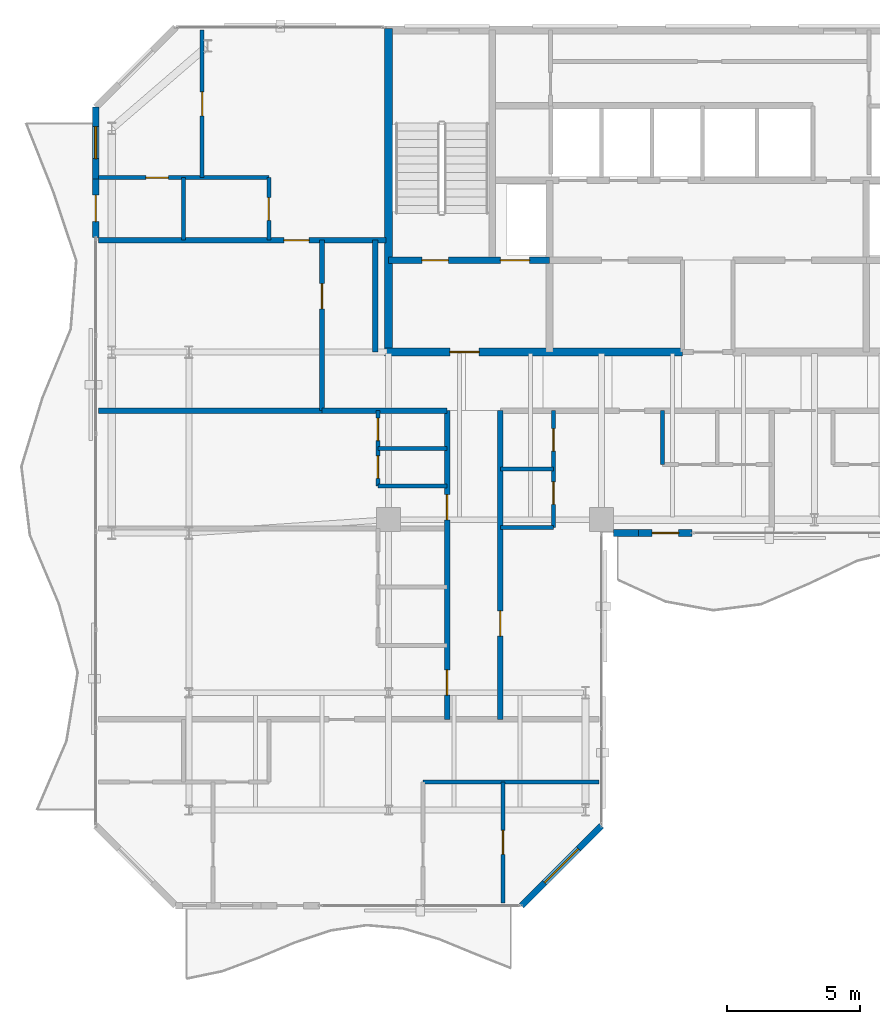
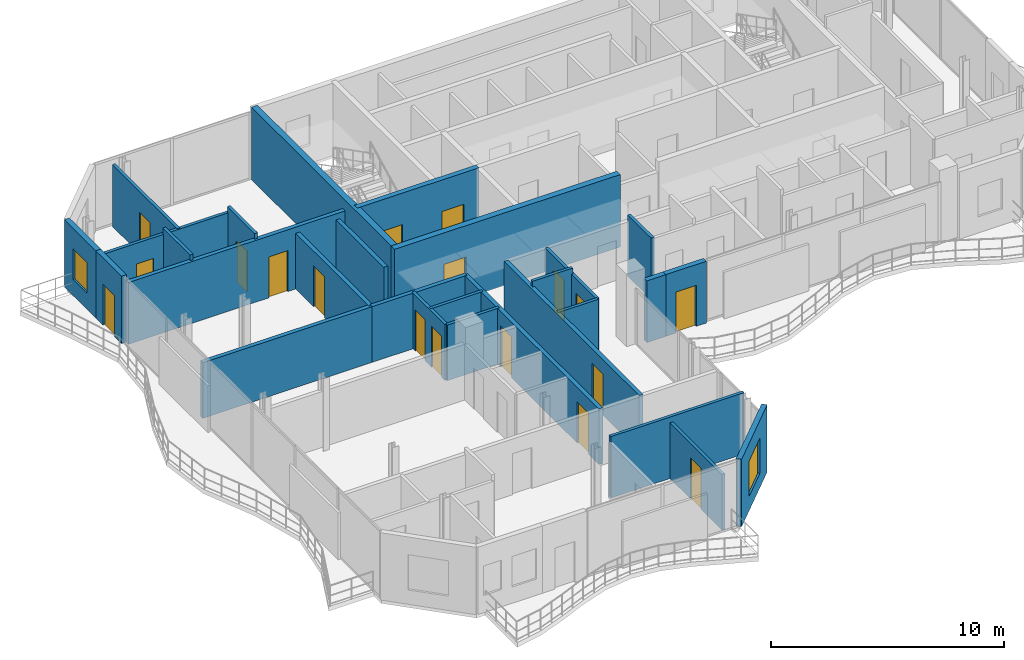
# One storey, part 18 of 24: 28 walls, 18 doors, 2 windows, 20 openings.
"""IFC4 building model written with IfcOpenShell, lengths in metres."""

from ifc_helpers import new_model, si_unit, direction, frame, frame_2d, origin, place, context, subcontext, project, spatial, rectangle, extrude, material, layer, layer_set, type_object, element, fill, save


model = new_model("IFC4")

# Units and contexts
model_context = context("Model", 3, precision=1e-05, world=origin(), true_north=direction((0.0, 1.0)))
body_context = subcontext(model_context, "Body", "Model", "MODEL_VIEW")
ifc_project = project(units=[si_unit("LENGTHUNIT", "METRE"), si_unit("AREAUNIT", "SQUARE_METRE"), si_unit("VOLUMEUNIT", "CUBIC_METRE"), si_unit("PLANEANGLEUNIT", "RADIAN"), si_unit("MASSUNIT", "GRAM", prefix="KILO")], contexts=[model_context])

# Site, building, storey
site_placement = place(None, origin())
site = spatial("IfcSite", under=ifc_project, at=site_placement, CompositionType="ELEMENT")
building_placement = place(site_placement, origin())
building = spatial("IfcBuilding", under=site, at=building_placement, Name="Catumbela Crestline Tower", CompositionType="ELEMENT")
storey_placement = place(building_placement, frame((0.0, 0.0, 237.4)))
storey = spatial("IfcBuildingStorey", under=building, at=storey_placement, Name="L61", CompositionType="ELEMENT", Elevation=237.4)

# Wall, openings, doors
ifc_material_1 = material(Name="Concrete C50/60", Category="concrete")
ifc_layer_1 = layer(ifc_material_1, 0.25, Name="Concrete C50/60")
ifc_layer_set_1 = layer_set([ifc_layer_1], Name="Concrete C50/60")
wall_type_1 = type_object("IfcWallType", Name="CW-250D", PredefinedType="SHEAR", material=ifc_layer_set_1)
wall_1_placement = place(storey_placement, frame((16.0, 34.25, 0.0), z_axis=(0.0, 0.0, 1.0), x_axis=(1.0, 0.0, 0.0)))
wall_1 = element("IfcWall", 1, at=wall_1_placement, inside=storey, type_object=wall_type_1, Name="L61 Structural Core Shear Wall ST1S", PredefinedType="SHEAR", context=body_context, shape_type="SweptSolid", body=[
    extrude(rectangle(XDim=6.05, YDim=0.25, at=frame_2d((3.025, 0.0))), origin(), (0.0, 0.0, 1.0), 3.8),
])
opening_1_placement = place(wall_1_placement, frame((1.25, 0.0, 0.0)))
opening_1 = element("IfcOpeningElement", 2, at=opening_1_placement, cuts=wall_1, Name="Opening DF9-100", PredefinedType="OPENING", context=body_context, shape_type="SweptSolid", body=[
    extrude(rectangle(XDim=1.0, YDim=2.15, at=frame_2d((0.5, 1.075))), frame((0.0, 0.135, 0.0), z_axis=(0.0, -1.0, 0.0), x_axis=(1.0, 0.0, 0.0)), (0.0, 0.0, 1.0), 0.27),
])
opening_2_placement = place(wall_1_placement, frame((4.2, 0.0, 0.0)))
opening_2 = element("IfcOpeningElement", 3, at=opening_2_placement, cuts=wall_1, Name="Opening LD-110", PredefinedType="OPENING", context=body_context, shape_type="SweptSolid", body=[
    extrude(rectangle(XDim=1.1, YDim=2.15, at=frame_2d((0.55, 1.075))), frame((0.0, 0.135, 0.0), z_axis=(0.0, -1.0, 0.0), x_axis=(1.0, 0.0, 0.0)), (0.0, 0.0, 1.0), 0.27),
])
ifc_material_2 = material(Name="Stainless steel EN 1.4401", Category="steel")
door_type_1 = type_object("IfcDoorType", Name="DF9-100", OperationType="NOTDEFINED", PredefinedType="DOOR", material=ifc_material_2)
door_1_placement = place(opening_1_placement, origin())
door_1 = element("IfcDoor", 4, at=door_1_placement, inside=storey, type_object=door_type_1, Name="L61 Interior Door DR-L61-ST01", OperationType="SINGLE_SWING_LEFT", OverallHeight=2.15, OverallWidth=1.0, PredefinedType="DOOR", context=body_context, shape_type="SweptSolid", body=[
    extrude(rectangle(XDim=1.0, YDim=2.15, at=frame_2d((0.5, 1.075))), frame((0.0, 0.025, 0.0), z_axis=(0.0, -1.0, 0.0), x_axis=(1.0, 0.0, 0.0)), (0.0, 0.0, 1.0), 0.05),
])
fill(opening_1, door_1)
door_type_2 = type_object("IfcDoorType", Name="LD-110", OperationType="NOTDEFINED", PredefinedType="DOOR", material=ifc_material_2)
door_2_placement = place(opening_2_placement, origin())
door_2 = element("IfcDoor", 5, at=door_2_placement, inside=storey, type_object=door_type_2, Name="L61 Lift Landing Sliding Door FL-01", OperationType="DOUBLE_DOOR_SLIDING", OverallHeight=2.15, OverallWidth=1.1, PredefinedType="DOOR", context=body_context, shape_type="SweptSolid", body=[
    extrude(rectangle(XDim=1.1, YDim=2.15, at=frame_2d((0.55, 1.075))), frame((0.0, 0.025, 0.0), z_axis=(0.0, -1.0, 0.0), x_axis=(1.0, 0.0, 0.0)), (0.0, 0.0, 1.0), 0.05),
])
fill(opening_2, door_2)

# Wall
ifc_material_3 = material(Name="Concrete C45/55", Category="concrete")
ifc_layer_2 = layer(ifc_material_3, 0.3, Name="Concrete C45/55")
ifc_layer_set_2 = layer_set([ifc_layer_2], Name="Concrete C45/55")
wall_type_2 = type_object("IfcWallType", Name="CW-300C", PredefinedType="SHEAR", material=ifc_layer_set_2)
wall_2_placement = place(storey_placement, frame((16.0, 30.65, 0.0), z_axis=(0.0, 0.0, 1.0), x_axis=(0.0, 1.0, 0.0)))
element("IfcWall", 6, at=wall_2_placement, inside=storey, type_object=wall_type_2, Name="L61 Structural Core Shear Wall W", PredefinedType="SHEAR", context=body_context, shape_type="SweptSolid", body=[
    extrude(rectangle(XDim=12.3, YDim=0.3, at=frame_2d((6.15, 0.0))), origin(), (0.0, 0.0, 1.0), 3.8),
])

# Wall, opening, door
wall_3_placement = place(storey_placement, frame((15.85, 30.8, 0.0), z_axis=(0.0, 0.0, 1.0), x_axis=(1.0, 0.0, 0.0)))
wall_3 = element("IfcWall", 7, at=wall_3_placement, inside=storey, type_object=wall_type_2, Name="L61 Structural Core Shear Wall SW", PredefinedType="SHEAR", context=body_context, shape_type="SweptSolid", body=[
    extrude(rectangle(XDim=11.2, YDim=0.3, at=frame_2d((5.6, 0.0))), origin(), (0.0, 0.0, 1.0), 3.8),
])
opening_3_placement = place(wall_3_placement, frame((2.45, 0.0, 0.0)))
opening_3 = element("IfcOpeningElement", 8, at=opening_3_placement, cuts=wall_3, Name="Opening DF9-110", PredefinedType="OPENING", context=body_context, shape_type="SweptSolid", body=[
    extrude(rectangle(XDim=1.1, YDim=2.15, at=frame_2d((0.55, 1.075))), frame((0.0, 0.16, 0.0), z_axis=(0.0, -1.0, 0.0), x_axis=(1.0, 0.0, 0.0)), (0.0, 0.0, 1.0), 0.32),
])
door_type_3 = type_object("IfcDoorType", Name="DF9-110", OperationType="NOTDEFINED", PredefinedType="DOOR", material=ifc_material_2)
door_3_placement = place(opening_3_placement, origin())
door_3 = element("IfcDoor", 9, at=door_3_placement, inside=storey, type_object=door_type_3, Name="L61 Interior Door DR-L61-FFW-S", OperationType="SINGLE_SWING_LEFT", OverallHeight=2.15, OverallWidth=1.1, PredefinedType="DOOR", context=body_context, shape_type="SweptSolid", body=[
    extrude(rectangle(XDim=1.1, YDim=2.15, at=frame_2d((0.55, 1.075))), frame((0.0, 0.025, 0.0), z_axis=(0.0, -1.0, 0.0), x_axis=(1.0, 0.0, 0.0)), (0.0, 0.0, 1.0), 0.05),
])
fill(opening_3, door_3)

# Walls
ifc_material_4 = material(Name="Acoustic gypsum and mineral-wool partition")
ifc_layer_3 = layer(ifc_material_4, 0.2, Name="Acoustic gypsum and mineral-wool partition")
ifc_layer_set_3 = layer_set([ifc_layer_3], Name="Acoustic gypsum and mineral-wool partition")
wall_type_3 = type_object("IfcWallType", Name="WC-200", PredefinedType="PARTITIONING", material=ifc_layer_set_3)
wall_4_placement = place(storey_placement, frame((13.5, 28.6, 0.0), z_axis=(0.0, 0.0, 1.0), x_axis=(1.0, 0.0, 0.0)))
element("IfcWall", 10, at=wall_4_placement, inside=storey, type_object=wall_type_3, Name="L61 Interior Partition PW-L61-RCWL", PredefinedType="PARTITIONING", context=body_context, shape_type="SweptSolid", body=[
    extrude(rectangle(XDim=4.7, YDim=0.2, at=frame_2d((2.35, 0.0))), origin(), (0.0, 0.0, 1.0), 2.92),
])
wall_5_placement = place(storey_placement, frame((15.5, 30.8, 0.0), z_axis=(0.0, 0.0, 1.0), x_axis=(0.0, 1.0, 0.0)))
element("IfcWall", 11, at=wall_5_placement, inside=storey, type_object=wall_type_3, Name="L61 Interior Partition PW-L61-NWFYE", PredefinedType="PARTITIONING", context=body_context, shape_type="SweptSolid", body=[
    extrude(rectangle(XDim=4.2, YDim=0.2, at=frame_2d((2.1, 0.0))), origin(), (0.0, 0.0, 1.0), 2.92),
])

# Wall, opening, door
wall_6_placement = place(storey_placement, frame((13.5, 28.6, 0.0), z_axis=(0.0, 0.0, 1.0), x_axis=(0.0, 1.0, 0.0)))
wall_6 = element("IfcWall", 12, at=wall_6_placement, inside=storey, type_object=wall_type_3, Name="L61 Interior Partition PW-L61-NWAM-ENT", PredefinedType="PARTITIONING", context=body_context, shape_type="SweptSolid", body=[
    extrude(rectangle(XDim=6.4, YDim=0.2, at=frame_2d((3.2, 0.0))), origin(), (0.0, 0.0, 1.0), 2.92),
])
opening_4_placement = place(wall_6_placement, frame((3.825, 0.0, 0.0)))
opening_4 = element("IfcOpeningElement", 13, at=opening_4_placement, cuts=wall_6, Name="Opening DF6-095", PredefinedType="OPENING", context=body_context, shape_type="SweptSolid", body=[
    extrude(rectangle(XDim=0.95, YDim=2.15, at=frame_2d((0.475, 1.075))), frame((0.0, 0.11, 0.0), z_axis=(0.0, -1.0, 0.0), x_axis=(1.0, 0.0, 0.0)), (0.0, 0.0, 1.0), 0.22),
])
ifc_material_5 = material(Name="Aluminium alloy AW-6060-T66", Category="aluminium")
door_type_4 = type_object("IfcDoorType", Name="DF6-095", OperationType="NOTDEFINED", PredefinedType="DOOR", material=ifc_material_5)
door_4_placement = place(opening_4_placement, origin())
door_4 = element("IfcDoor", 14, at=door_4_placement, inside=storey, type_object=door_type_4, Name="L61 Interior Door DR-L61-NWAM-ENT", OperationType="SINGLE_SWING_RIGHT", OverallHeight=2.15, OverallWidth=0.95, PredefinedType="DOOR", context=body_context, shape_type="SweptSolid", body=[
    extrude(rectangle(XDim=0.95, YDim=2.15, at=frame_2d((0.475, 1.075))), frame((0.0, 0.025, 0.0), z_axis=(0.0, -1.0, 0.0), x_axis=(1.0, 0.0, 0.0)), (0.0, 0.0, 1.0), 0.05),
])
fill(opening_4, door_4)

wall_7_placement = place(storey_placement, frame((5.1, 35.0, 0.0), z_axis=(0.0, 0.0, 1.0), x_axis=(1.0, 0.0, 0.0)))
wall_7 = element("IfcWall", 15, at=wall_7_placement, inside=storey, type_object=wall_type_3, Name="L61 Interior Partition PW-L61-NW1-ENT", PredefinedType="PARTITIONING", context=body_context, shape_type="SweptSolid", body=[
    extrude(rectangle(XDim=10.8, YDim=0.2, at=frame_2d((5.4, 0.0))), origin(), (0.0, 0.0, 1.0), 3.24),
])
opening_5_placement = place(wall_7_placement, frame((6.9644, 0.0, 0.0)))
opening_5 = element("IfcOpeningElement", 16, at=opening_5_placement, cuts=wall_7, Name="Opening DF6-095", PredefinedType="OPENING", context=body_context, shape_type="SweptSolid", body=[
    extrude(rectangle(XDim=0.95, YDim=2.15, at=frame_2d((0.475, 1.075))), frame((0.0, 0.11, 0.0), z_axis=(0.0, -1.0, 0.0), x_axis=(1.0, 0.0, 0.0)), (0.0, 0.0, 1.0), 0.22),
])
door_5_placement = place(opening_5_placement, origin())
door_5 = element("IfcDoor", 17, at=door_5_placement, inside=storey, type_object=door_type_4, Name="L61 Interior Door DR-L61-NW1-ENT", OperationType="SINGLE_SWING_LEFT", OverallHeight=2.15, OverallWidth=0.95, PredefinedType="DOOR", context=body_context, shape_type="SweptSolid", body=[
    extrude(rectangle(XDim=0.95, YDim=2.15, at=frame_2d((0.475, 1.075))), frame((0.0, 0.025, 0.0), z_axis=(0.0, -1.0, 0.0), x_axis=(1.0, 0.0, 0.0)), (0.0, 0.0, 1.0), 0.05),
])
fill(opening_5, door_5)

# Wall, openings, doors
wall_8_placement = place(storey_placement, frame((18.2, 17.0, 0.0), z_axis=(0.0, 0.0, 1.0), x_axis=(0.0, 1.0, 0.0)))
wall_8 = element("IfcWall", 18, at=wall_8_placement, inside=storey, type_object=wall_type_3, Name="L61 Interior Partition PW-L61-WL1-ENT", PredefinedType="PARTITIONING", context=body_context, shape_type="SweptSolid", body=[
    extrude(rectangle(XDim=11.6, YDim=0.2, at=frame_2d((5.8, 0.0))), origin(), (0.0, 0.0, 1.0), 2.92),
])
opening_6_placement = place(wall_8_placement, frame((7.493, 0.0, 0.0)))
opening_6 = element("IfcOpeningElement", 19, at=opening_6_placement, cuts=wall_8, Name="Opening DF6-095", PredefinedType="OPENING", context=body_context, shape_type="SweptSolid", body=[
    extrude(rectangle(XDim=0.95, YDim=2.15, at=frame_2d((0.475, 1.075))), frame((0.0, 0.11, 0.0), z_axis=(0.0, -1.0, 0.0), x_axis=(1.0, 0.0, 0.0)), (0.0, 0.0, 1.0), 0.22),
])
opening_7_placement = place(wall_8_placement, frame((0.909, 0.0, 0.0)))
opening_7 = element("IfcOpeningElement", 20, at=opening_7_placement, cuts=wall_8, Name="Opening DF6-095", PredefinedType="OPENING", context=body_context, shape_type="SweptSolid", body=[
    extrude(rectangle(XDim=0.95, YDim=2.15, at=frame_2d((0.475, 1.075))), frame((0.0, 0.11, 0.0), z_axis=(0.0, -1.0, 0.0), x_axis=(1.0, 0.0, 0.0)), (0.0, 0.0, 1.0), 0.22),
])
door_6_placement = place(opening_6_placement, origin())
door_6 = element("IfcDoor", 21, at=door_6_placement, inside=storey, type_object=door_type_4, Name="L61 Interior Door DR-L61-WL1-ENT", OperationType="SINGLE_SWING_RIGHT", OverallHeight=2.15, OverallWidth=0.95, PredefinedType="DOOR", context=body_context, shape_type="SweptSolid", body=[
    extrude(rectangle(XDim=0.95, YDim=2.15, at=frame_2d((0.475, 1.075))), frame((0.0, 0.025, 0.0), z_axis=(0.0, -1.0, 0.0), x_axis=(1.0, 0.0, 0.0)), (0.0, 0.0, 1.0), 0.05),
])
fill(opening_6, door_6)
door_7_placement = place(opening_7_placement, origin())
door_7 = element("IfcDoor", 22, at=door_7_placement, inside=storey, type_object=door_type_4, Name="L61 Interior Door DR-L61-WL2-ENT", OperationType="SINGLE_SWING_RIGHT", OverallHeight=2.15, OverallWidth=0.95, PredefinedType="DOOR", context=body_context, shape_type="SweptSolid", body=[
    extrude(rectangle(XDim=0.95, YDim=2.15, at=frame_2d((0.475, 1.075))), frame((0.0, 0.025, 0.0), z_axis=(0.0, -1.0, 0.0), x_axis=(1.0, 0.0, 0.0)), (0.0, 0.0, 1.0), 0.05),
])
fill(opening_7, door_7)

# Wall, opening, door
wall_9_placement = place(storey_placement, frame((20.2, 17.0, 0.0), z_axis=(0.0, 0.0, 1.0), x_axis=(0.0, 1.0, 0.0)))
wall_9 = element("IfcWall", 23, at=wall_9_placement, inside=storey, type_object=wall_type_3, Name="L61 Interior Partition PW-L61-WR1-ENT", PredefinedType="PARTITIONING", context=body_context, shape_type="SweptSolid", body=[
    extrude(rectangle(XDim=11.6, YDim=0.2, at=frame_2d((5.8, 0.0))), origin(), (0.0, 0.0, 1.0), 2.92),
])
opening_8_placement = place(wall_9_placement, frame((3.125, 0.0, 0.0)))
opening_8 = element("IfcOpeningElement", 24, at=opening_8_placement, cuts=wall_9, Name="Opening DF6-095", PredefinedType="OPENING", context=body_context, shape_type="SweptSolid", body=[
    extrude(rectangle(XDim=0.95, YDim=2.15, at=frame_2d((0.475, 1.075))), frame((0.0, 0.11, 0.0), z_axis=(0.0, -1.0, 0.0), x_axis=(1.0, 0.0, 0.0)), (0.0, 0.0, 1.0), 0.22),
])
door_8_placement = place(opening_8_placement, origin())
door_8 = element("IfcDoor", 25, at=door_8_placement, inside=storey, type_object=door_type_4, Name="L61 Interior Door DR-L61-WR1-ENT", OperationType="SINGLE_SWING_LEFT", OverallHeight=2.15, OverallWidth=0.95, PredefinedType="DOOR", context=body_context, shape_type="SweptSolid", body=[
    extrude(rectangle(XDim=0.95, YDim=2.15, at=frame_2d((0.475, 1.075))), frame((0.0, 0.025, 0.0), z_axis=(0.0, -1.0, 0.0), x_axis=(1.0, 0.0, 0.0)), (0.0, 0.0, 1.0), 0.05),
])
fill(opening_8, door_8)

# Wall, opening, window
ifc_material_6 = material(Name="Angolan grey-ochre granite", Category="masonry")
ifc_layer_4 = layer(ifc_material_6, 0.25, Name="Angolan grey-ochre granite")
ifc_layer_set_4 = layer_set([ifc_layer_4], Name="Angolan grey-ochre granite")
wall_type_4 = type_object("IfcWallType", Name="WE-250", PredefinedType="STANDARD", material=ifc_layer_set_4)
wall_10_placement = place(storey_placement, frame((21.0, 10.0, 0.0), z_axis=(0.0, 0.0, 1.0), x_axis=(0.707106781187, 0.707106781187, 0.0)))
wall_10 = element("IfcWall", 26, at=wall_10_placement, inside=storey, type_object=wall_type_4, Name="L61 Granite Punched Window Wall 1-1", PredefinedType="STANDARD", context=body_context, shape_type="SweptSolid", body=[
    extrude(rectangle(XDim=4.2426, YDim=0.25, at=frame_2d((2.1213, 0.0))), origin(), (0.0, 0.0, 1.0), 3.53),
])
opening_9_placement = place(wall_10_placement, frame((1.2213, 0.0, 0.75)))
opening_9 = element("IfcOpeningElement", 27, at=opening_9_placement, cuts=wall_10, Name="Opening WN-01", PredefinedType="OPENING", context=body_context, shape_type="SweptSolid", body=[
    extrude(rectangle(XDim=1.8, YDim=1.85, at=frame_2d((0.9, 0.925))), frame((0.0, 0.135, 0.0), z_axis=(0.0, -1.0, 0.0), x_axis=(1.0, 0.0, 0.0)), (0.0, 0.0, 1.0), 0.27),
])
ifc_material_7 = material(Name="Low-E laminated solar-control double glazing", Category="glass")
window_type_1 = type_object("IfcWindowType", Name="WF-1800", PartitioningType="SINGLE_PANEL", PredefinedType="WINDOW", material=ifc_material_7)
window_1_placement = place(opening_9_placement, origin())
window_1 = element("IfcWindow", 28, at=window_1_placement, inside=storey, type_object=window_type_1, Name="L61 Facade Vision Window 445", OverallHeight=1.85, OverallWidth=1.8, PartitioningType="SINGLE_PANEL", PredefinedType="WINDOW", context=body_context, shape_type="SweptSolid", body=[
    extrude(rectangle(XDim=1.8, YDim=1.85, at=frame_2d((0.9, 0.925))), frame((0.0, 0.03, 0.0), z_axis=(0.0, -1.0, 0.0), x_axis=(1.0, 0.0, 0.0)), (0.0, 0.0, 1.0), 0.06),
])
fill(opening_9, window_1)

# Wall, opening, door
wall_11_placement = place(storey_placement, frame((25.4, 24.0, 0.0), z_axis=(0.0, 0.0, 1.0), x_axis=(1.0, 0.0, 0.0)))
wall_11 = element("IfcWall", 29, at=wall_11_placement, inside=storey, type_object=wall_type_4, Name="L61 Exterior Threshold Portal Wall DR-L61-WBAL-1", PredefinedType="STANDARD", context=body_context, shape_type="SweptSolid", body=[
    extrude(rectangle(XDim=2.0, YDim=0.25, at=frame_2d((1.0, 0.0))), origin(), (0.0, 0.0, 1.0), 3.24),
])
opening_10_placement = place(wall_11_placement, frame((0.5, 0.0, 0.0)))
opening_10 = element("IfcOpeningElement", 30, at=opening_10_placement, cuts=wall_11, Name="Opening DB-L61-1", PredefinedType="OPENING", context=body_context, shape_type="SweptSolid", body=[
    extrude(rectangle(XDim=1.0, YDim=2.15, at=frame_2d((0.5, 1.075))), frame((0.0, 0.135, 0.0), z_axis=(0.0, -1.0, 0.0), x_axis=(1.0, 0.0, 0.0)), (0.0, 0.0, 1.0), 0.27),
])
door_type_5 = type_object("IfcDoorType", Name="DB-1000", OperationType="NOTDEFINED", PredefinedType="DOOR", material=ifc_material_5)
door_9_placement = place(opening_10_placement, origin())
door_9 = element("IfcDoor", 31, at=door_9_placement, inside=storey, type_object=door_type_5, Name="L61 Wave Balcony Terrace Door 1", OperationType="SINGLE_SWING_LEFT", OverallHeight=2.15, OverallWidth=1.0, PredefinedType="DOOR", context=body_context, shape_type="SweptSolid", body=[
    extrude(rectangle(XDim=1.0, YDim=2.15, at=frame_2d((0.5, 1.075))), frame((0.0, 0.025, 0.0), z_axis=(0.0, -1.0, 0.0), x_axis=(1.0, 0.0, 0.0)), (0.0, 0.0, 1.0), 0.05),
])
fill(opening_10, door_9)

# Wall
wall_12_placement = place(storey_placement, frame((24.45, 24.0, 0.0), z_axis=(0.0, 0.0, 1.0), x_axis=(1.0, 0.0, 0.0)))
element("IfcWall", 32, at=wall_12_placement, inside=storey, type_object=wall_type_4, Name="L61 Granite Punched Window Wall 3-1", PredefinedType="STANDARD", context=body_context, shape_type="SweptSolid", body=[
    extrude(rectangle(XDim=0.95, YDim=0.25, at=frame_2d((0.475, 0.0))), origin(), (0.0, 0.0, 1.0), 3.24),
])

# Wall, opening, door
wall_13_placement = place(storey_placement, frame((5.0, 37.3, 0.0), z_axis=(0.0, 0.0, 1.0), x_axis=(0.0, -1.0, 0.0)))
wall_13 = element("IfcWall", 33, at=wall_13_placement, inside=storey, type_object=wall_type_4, Name="L61 Exterior Threshold Portal Wall DR-L61-WBAL-4", PredefinedType="STANDARD", context=body_context, shape_type="SweptSolid", body=[
    extrude(rectangle(XDim=2.2, YDim=0.25, at=frame_2d((1.1, 0.0))), origin(), (0.0, 0.0, 1.0), 3.53),
])
opening_11_placement = place(wall_13_placement, frame((0.6, 0.0, 0.0)))
opening_11 = element("IfcOpeningElement", 34, at=opening_11_placement, cuts=wall_13, Name="Opening DB-L61-4", PredefinedType="OPENING", context=body_context, shape_type="SweptSolid", body=[
    extrude(rectangle(XDim=1.0, YDim=2.15, at=frame_2d((0.5, 1.075))), frame((0.0, 0.135, 0.0), z_axis=(0.0, -1.0, 0.0), x_axis=(1.0, 0.0, 0.0)), (0.0, 0.0, 1.0), 0.27),
])
door_10_placement = place(opening_11_placement, origin())
door_10 = element("IfcDoor", 35, at=door_10_placement, inside=storey, type_object=door_type_5, Name="L61 Wave Balcony Terrace Door 4", OperationType="SINGLE_SWING_RIGHT", OverallHeight=2.15, OverallWidth=1.0, PredefinedType="DOOR", context=body_context, shape_type="SweptSolid", body=[
    extrude(rectangle(XDim=1.0, YDim=2.15, at=frame_2d((0.5, 1.075))), frame((0.0, 0.025, 0.0), z_axis=(0.0, -1.0, 0.0), x_axis=(1.0, 0.0, 0.0)), (0.0, 0.0, 1.0), 0.05),
])
fill(opening_11, door_10)

# Wall, opening, window
wall_14_placement = place(storey_placement, frame((5.0, 40.0, 0.0), z_axis=(0.0, 0.0, 1.0), x_axis=(0.0, -1.0, 0.0)))
wall_14 = element("IfcWall", 36, at=wall_14_placement, inside=storey, type_object=wall_type_4, Name="L61 Granite Punched Window Wall 9-1", PredefinedType="STANDARD", context=body_context, shape_type="SweptSolid", body=[
    extrude(rectangle(XDim=2.7, YDim=0.25, at=frame_2d((1.35, 0.0))), origin(), (0.0, 0.0, 1.0), 3.53),
])
opening_12_placement = place(wall_14_placement, frame((0.735, 0.0, 0.85)))
opening_12 = element("IfcOpeningElement", 37, at=opening_12_placement, cuts=wall_14, Name="Opening WN-02", PredefinedType="OPENING", context=body_context, shape_type="SweptSolid", body=[
    extrude(rectangle(XDim=1.2, YDim=1.6, at=frame_2d((0.6, 0.8))), frame((0.0, 0.135, 0.0), z_axis=(0.0, -1.0, 0.0), x_axis=(1.0, 0.0, 0.0)), (0.0, 0.0, 1.0), 0.27),
])
window_type_2 = type_object("IfcWindowType", Name="WO-1200", PartitioningType="SINGLE_PANEL", PredefinedType="WINDOW", material=ifc_material_7)
window_2_placement = place(opening_12_placement, origin())
window_2 = element("IfcWindow", 38, at=window_2_placement, inside=storey, type_object=window_type_2, Name="L61 Facade Vision Window 452", OverallHeight=1.6, OverallWidth=1.2, PartitioningType="SINGLE_PANEL", PredefinedType="WINDOW", context=body_context, shape_type="SweptSolid", body=[
    extrude(rectangle(XDim=1.2, YDim=1.6, at=frame_2d((0.6, 0.8))), frame((0.0, 0.03, 0.0), z_axis=(0.0, -1.0, 0.0), x_axis=(1.0, 0.0, 0.0)), (0.0, 0.0, 1.0), 0.06),
])
fill(opening_12, window_2)

# Wall, opening, door
ifc_layer_5 = layer(ifc_material_4, 0.15, Name="Acoustic gypsum and mineral-wool partition")
ifc_layer_set_5 = layer_set([ifc_layer_5], Name="Acoustic gypsum and mineral-wool partition")
wall_type_5 = type_object("IfcWallType", Name="WP-150", PredefinedType="PARTITIONING", material=ifc_layer_set_5)
wall_15_placement = place(storey_placement, frame((11.5, 35.0, 0.0), z_axis=(0.0, 0.0, 1.0), x_axis=(0.0, 1.0, 0.0)))
wall_15 = element("IfcWall", 39, at=wall_15_placement, inside=storey, type_object=wall_type_5, Name="L61 Interior Partition PW-L61-NW1-KBE", PredefinedType="PARTITIONING", context=body_context, shape_type="SweptSolid", body=[
    extrude(rectangle(XDim=2.35, YDim=0.15, at=frame_2d((1.175, 0.0))), origin(), (0.0, 0.0, 1.0), 3.53),
])
opening_13_placement = place(wall_15_placement, frame((0.75, 0.0, 0.0)))
opening_13 = element("IfcOpeningElement", 40, at=opening_13_placement, cuts=wall_15, Name="Opening DI-085", PredefinedType="OPENING", context=body_context, shape_type="SweptSolid", body=[
    extrude(rectangle(XDim=0.85, YDim=2.15, at=frame_2d((0.425, 1.075))), frame((0.0, 0.085, 0.0), z_axis=(0.0, -1.0, 0.0), x_axis=(1.0, 0.0, 0.0)), (0.0, 0.0, 1.0), 0.17),
])
door_type_6 = type_object("IfcDoorType", Name="DI-085", OperationType="NOTDEFINED", PredefinedType="DOOR", material=ifc_material_5)
door_11_placement = place(opening_13_placement, origin())
door_11 = element("IfcDoor", 41, at=door_11_placement, inside=storey, type_object=door_type_6, Name="L61 Interior Door DR-L61-NW1-BTH", OperationType="SINGLE_SWING_LEFT", OverallHeight=2.15, OverallWidth=0.85, PredefinedType="DOOR", context=body_context, shape_type="SweptSolid", body=[
    extrude(rectangle(XDim=0.85, YDim=2.15, at=frame_2d((0.425, 1.075))), frame((0.0, 0.025, 0.0), z_axis=(0.0, -1.0, 0.0), x_axis=(1.0, 0.0, 0.0)), (0.0, 0.0, 1.0), 0.05),
])
fill(opening_13, door_11)

# Wall
wall_16_placement = place(storey_placement, frame((8.3, 35.0, 0.0), z_axis=(0.0, 0.0, 1.0), x_axis=(0.0, 1.0, 0.0)))
element("IfcWall", 42, at=wall_16_placement, inside=storey, type_object=wall_type_5, Name="L61 Interior Partition PW-L61-NW1-KBM", PredefinedType="PARTITIONING", context=body_context, shape_type="SweptSolid", body=[
    extrude(rectangle(XDim=2.35, YDim=0.15, at=frame_2d((1.175, 0.0))), origin(), (0.0, 0.0, 1.0), 3.53),
])

# Wall, opening, door
wall_17_placement = place(storey_placement, frame((5.1, 37.35, 0.0), z_axis=(0.0, 0.0, 1.0), x_axis=(1.0, 0.0, 0.0)))
wall_17 = element("IfcWall", 43, at=wall_17_placement, inside=storey, type_object=wall_type_5, Name="L61 Interior Partition PW-L61-NW1-KBD1", PredefinedType="PARTITIONING", context=body_context, shape_type="SweptSolid", body=[
    extrude(rectangle(XDim=6.4, YDim=0.15, at=frame_2d((3.2, 0.0))), origin(), (0.0, 0.0, 1.0), 3.24),
])
opening_14_placement = place(wall_17_placement, frame((1.7795, 0.0, 0.0)))
opening_14 = element("IfcOpeningElement", 44, at=opening_14_placement, cuts=wall_17, Name="Opening DI-085", PredefinedType="OPENING", context=body_context, shape_type="SweptSolid", body=[
    extrude(rectangle(XDim=0.85, YDim=2.15, at=frame_2d((0.425, 1.075))), frame((0.0, 0.085, 0.0), z_axis=(0.0, -1.0, 0.0), x_axis=(1.0, 0.0, 0.0)), (0.0, 0.0, 1.0), 0.17),
])
door_12_placement = place(opening_14_placement, origin())
door_12 = element("IfcDoor", 45, at=door_12_placement, inside=storey, type_object=door_type_6, Name="L61 Interior Door DR-L61-NW1-KIT", OperationType="SINGLE_SWING_LEFT", OverallHeight=2.15, OverallWidth=0.85, PredefinedType="DOOR", context=body_context, shape_type="SweptSolid", body=[
    extrude(rectangle(XDim=0.85, YDim=2.15, at=frame_2d((0.425, 1.075))), frame((0.0, 0.025, 0.0), z_axis=(0.0, -1.0, 0.0), x_axis=(1.0, 0.0, 0.0)), (0.0, 0.0, 1.0), 0.05),
])
fill(opening_14, door_12)

wall_18_placement = place(storey_placement, frame((9.0, 37.35, 0.0), z_axis=(0.0, 0.0, 1.0), x_axis=(0.0, 1.0, 0.0)))
wall_18 = element("IfcWall", 46, at=wall_18_placement, inside=storey, type_object=wall_type_5, Name="L61 Interior Partition PW-L61-NW1-BD1W", PredefinedType="PARTITIONING", context=body_context, shape_type="SweptSolid", body=[
    extrude(rectangle(XDim=5.55, YDim=0.15, at=frame_2d((2.775, 0.0))), origin(), (0.0, 0.0, 1.0), 3.24),
])
opening_15_placement = place(wall_18_placement, frame((2.325, 0.0, 0.0)))
opening_15 = element("IfcOpeningElement", 47, at=opening_15_placement, cuts=wall_18, Name="Opening DI-090", PredefinedType="OPENING", context=body_context, shape_type="SweptSolid", body=[
    extrude(rectangle(XDim=0.9, YDim=2.15, at=frame_2d((0.45, 1.075))), frame((0.0, 0.085, 0.0), z_axis=(0.0, -1.0, 0.0), x_axis=(1.0, 0.0, 0.0)), (0.0, 0.0, 1.0), 0.17),
])
door_type_7 = type_object("IfcDoorType", Name="DI-090", OperationType="NOTDEFINED", PredefinedType="DOOR", material=ifc_material_5)
door_13_placement = place(opening_15_placement, origin())
door_13 = element("IfcDoor", 48, at=door_13_placement, inside=storey, type_object=door_type_7, Name="L61 Interior Door DR-L61-NW1-BD1", OperationType="SINGLE_SWING_LEFT", OverallHeight=2.15, OverallWidth=0.9, PredefinedType="DOOR", context=body_context, shape_type="SweptSolid", body=[
    extrude(rectangle(XDim=0.9, YDim=2.15, at=frame_2d((0.45, 1.075))), frame((0.0, 0.025, 0.0), z_axis=(0.0, -1.0, 0.0), x_axis=(1.0, 0.0, 0.0)), (0.0, 0.0, 1.0), 0.05),
])
fill(opening_15, door_13)

# Walls
wall_19_placement = place(storey_placement, frame((26.3, 26.576, 0.0), z_axis=(0.0, 0.0, 1.0), x_axis=(0.0, 1.0, 0.0)))
element("IfcWall", 49, at=wall_19_placement, inside=storey, type_object=wall_type_5, Name="L61 Interior Partition PW-L61-S1-KBW", PredefinedType="PARTITIONING", context=body_context, shape_type="SweptSolid", body=[
    extrude(rectangle(XDim=2.024, YDim=0.15, at=frame_2d((1.012, 0.0))), origin(), (0.0, 0.0, 1.0), 3.22),
])
for number, where, z_axis, x_axis, name in (
    (50, (15.6, 25.768, 0.0), (0.0, 0.0, 1.0), (1.0, 0.0, 0.0), "L61 Interior Partition PW-L61-WL1-KBS"),
    (51, (15.6, 27.184, 0.0), (0.0, 0.0, 1.0), (1.0, 0.0, 0.0), "L61 Interior Partition PW-L61-WL1-KBM"),
):
    element("IfcWall", number, at=place(storey_placement, frame(where, z_axis=z_axis, x_axis=x_axis)), inside=storey, type_object=wall_type_5, Name=name, PredefinedType="PARTITIONING", context=body_context, shape_type="SweptSolid", body=[
        extrude(rectangle(XDim=2.6, YDim=0.15, at=frame_2d((1.3, 0.0))), origin(), (0.0, 0.0, 1.0), 2.92),
    ])

# Wall, openings, doors
wall_20_placement = place(storey_placement, frame((15.6, 25.768, 0.0), z_axis=(0.0, 0.0, 1.0), x_axis=(0.0, 1.0, 0.0)))
wall_20 = element("IfcWall", 52, at=wall_20_placement, inside=storey, type_object=wall_type_5, Name="L61 Interior Partition PW-L61-WL1-SK1", PredefinedType="PARTITIONING", context=body_context, shape_type="SweptSolid", body=[
    extrude(rectangle(XDim=2.832, YDim=0.15, at=frame_2d((1.416, 0.0))), origin(), (0.0, 0.0, 1.0), 2.92),
])
opening_16_placement = place(wall_20_placement, frame((0.283, 0.0, 0.0)))
opening_16 = element("IfcOpeningElement", 53, at=opening_16_placement, cuts=wall_20, Name="Opening DI-085", PredefinedType="OPENING", context=body_context, shape_type="SweptSolid", body=[
    extrude(rectangle(XDim=0.85, YDim=2.15, at=frame_2d((0.425, 1.075))), frame((0.0, 0.085, 0.0), z_axis=(0.0, -1.0, 0.0), x_axis=(1.0, 0.0, 0.0)), (0.0, 0.0, 1.0), 0.17),
])
opening_17_placement = place(wall_20_placement, frame((1.699, 0.0, 0.0)))
opening_17 = element("IfcOpeningElement", 54, at=opening_17_placement, cuts=wall_20, Name="Opening DI-085", PredefinedType="OPENING", context=body_context, shape_type="SweptSolid", body=[
    extrude(rectangle(XDim=0.85, YDim=2.15, at=frame_2d((0.425, 1.075))), frame((0.0, 0.085, 0.0), z_axis=(0.0, -1.0, 0.0), x_axis=(1.0, 0.0, 0.0)), (0.0, 0.0, 1.0), 0.17),
])
door_14_placement = place(opening_16_placement, origin())
door_14 = element("IfcDoor", 55, at=door_14_placement, inside=storey, type_object=door_type_6, Name="L61 Interior Door DR-L61-WL1-KIT", OperationType="SINGLE_SWING_LEFT", OverallHeight=2.15, OverallWidth=0.85, PredefinedType="DOOR", context=body_context, shape_type="SweptSolid", body=[
    extrude(rectangle(XDim=0.85, YDim=2.15, at=frame_2d((0.425, 1.075))), frame((0.0, 0.025, 0.0), z_axis=(0.0, -1.0, 0.0), x_axis=(1.0, 0.0, 0.0)), (0.0, 0.0, 1.0), 0.05),
])
fill(opening_16, door_14)
door_15_placement = place(opening_17_placement, origin())
door_15 = element("IfcDoor", 56, at=door_15_placement, inside=storey, type_object=door_type_6, Name="L61 Interior Door DR-L61-WL1-BTH", OperationType="SINGLE_SWING_RIGHT", OverallHeight=2.15, OverallWidth=0.85, PredefinedType="DOOR", context=body_context, shape_type="SweptSolid", body=[
    extrude(rectangle(XDim=0.85, YDim=2.15, at=frame_2d((0.425, 1.075))), frame((0.0, 0.025, 0.0), z_axis=(0.0, -1.0, 0.0), x_axis=(1.0, 0.0, 0.0)), (0.0, 0.0, 1.0), 0.05),
])
fill(opening_17, door_15)

# Walls
wall_21_placement = place(storey_placement, frame((20.2, 24.2, 0.0), z_axis=(0.0, 0.0, 1.0), x_axis=(1.0, 0.0, 0.0)))
element("IfcWall", 57, at=wall_21_placement, inside=storey, type_object=wall_type_5, Name="L61 Interior Partition PW-L61-WR1-KBS", PredefinedType="PARTITIONING", context=body_context, shape_type="SweptSolid", body=[
    extrude(rectangle(XDim=2.0, YDim=0.15, at=frame_2d((1.0, 0.0))), origin(), (0.0, 0.0, 1.0), 2.92),
])
wall_22_placement = place(storey_placement, frame((20.2, 26.4, 0.0), z_axis=(0.0, 0.0, 1.0), x_axis=(1.0, 0.0, 0.0)))
element("IfcWall", 58, at=wall_22_placement, inside=storey, type_object=wall_type_5, Name="L61 Interior Partition PW-L61-WR1-KBM", PredefinedType="PARTITIONING", context=body_context, shape_type="SweptSolid", body=[
    extrude(rectangle(XDim=2.0, YDim=0.15, at=frame_2d((1.0, 0.0))), origin(), (0.0, 0.0, 1.0), 3.22),
])

# Wall, openings, doors
wall_23_placement = place(storey_placement, frame((22.2, 24.2, 0.0), z_axis=(0.0, 0.0, 1.0), x_axis=(0.0, 1.0, 0.0)))
wall_23 = element("IfcWall", 59, at=wall_23_placement, inside=storey, type_object=wall_type_5, Name="L61 Interior Partition PW-L61-WR1-SK1", PredefinedType="PARTITIONING", context=body_context, shape_type="SweptSolid", body=[
    extrude(rectangle(XDim=4.4, YDim=0.15, at=frame_2d((2.2, 0.0))), origin(), (0.0, 0.0, 1.0), 2.92),
])
opening_18_placement = place(wall_23_placement, frame((0.8733, 0.0, 0.0)))
opening_18 = element("IfcOpeningElement", 60, at=opening_18_placement, cuts=wall_23, Name="Opening DI-085", PredefinedType="OPENING", context=body_context, shape_type="SweptSolid", body=[
    extrude(rectangle(XDim=0.85, YDim=2.15, at=frame_2d((0.425, 1.075))), frame((0.0, 0.085, 0.0), z_axis=(0.0, -1.0, 0.0), x_axis=(1.0, 0.0, 0.0)), (0.0, 0.0, 1.0), 0.17),
])
opening_19_placement = place(wall_23_placement, frame((2.875, 0.0, 0.0)))
opening_19 = element("IfcOpeningElement", 61, at=opening_19_placement, cuts=wall_23, Name="Opening DI-085", PredefinedType="OPENING", context=body_context, shape_type="SweptSolid", body=[
    extrude(rectangle(XDim=0.85, YDim=2.15, at=frame_2d((0.425, 1.075))), frame((0.0, 0.085, 0.0), z_axis=(0.0, -1.0, 0.0), x_axis=(1.0, 0.0, 0.0)), (0.0, 0.0, 1.0), 0.17),
])
door_16_placement = place(opening_18_placement, origin())
door_16 = element("IfcDoor", 62, at=door_16_placement, inside=storey, type_object=door_type_6, Name="L61 Interior Door DR-L61-WR1-KIT", OperationType="SINGLE_SWING_LEFT", OverallHeight=2.15, OverallWidth=0.85, PredefinedType="DOOR", context=body_context, shape_type="SweptSolid", body=[
    extrude(rectangle(XDim=0.85, YDim=2.15, at=frame_2d((0.425, 1.075))), frame((0.0, 0.025, 0.0), z_axis=(0.0, -1.0, 0.0), x_axis=(1.0, 0.0, 0.0)), (0.0, 0.0, 1.0), 0.05),
])
fill(opening_18, door_16)
door_17_placement = place(opening_19_placement, origin())
door_17 = element("IfcDoor", 63, at=door_17_placement, inside=storey, type_object=door_type_6, Name="L61 Interior Door DR-L61-WR1-BTH", OperationType="SINGLE_SWING_RIGHT", OverallHeight=2.15, OverallWidth=0.85, PredefinedType="DOOR", context=body_context, shape_type="SweptSolid", body=[
    extrude(rectangle(XDim=0.85, YDim=2.15, at=frame_2d((0.425, 1.075))), frame((0.0, 0.025, 0.0), z_axis=(0.0, -1.0, 0.0), x_axis=(1.0, 0.0, 0.0)), (0.0, 0.0, 1.0), 0.05),
])
fill(opening_19, door_17)

# Wall
wall_24_placement = place(storey_placement, frame((17.3, 14.65, 0.0), z_axis=(0.0, 0.0, 1.0), x_axis=(1.0, 0.0, 0.0)))
element("IfcWall", 64, at=wall_24_placement, inside=storey, type_object=wall_type_5, Name="L61 Interior Partition PW-L61-SH1-BDRH", PredefinedType="PARTITIONING", context=body_context, shape_type="SweptSolid", body=[
    extrude(rectangle(XDim=6.6, YDim=0.15, at=frame_2d((3.3, 0.0))), origin(), (0.0, 0.0, 1.0), 3.22),
])

# Wall, opening, door
wall_25_placement = place(storey_placement, frame((20.3, 10.1, 0.0), z_axis=(0.0, 0.0, 1.0), x_axis=(0.0, 1.0, 0.0)))
wall_25 = element("IfcWall", 65, at=wall_25_placement, inside=storey, type_object=wall_type_5, Name="L61 Interior Partition PW-L61-SH1-BDR", PredefinedType="PARTITIONING", context=body_context, shape_type="SweptSolid", body=[
    extrude(rectangle(XDim=4.55, YDim=0.15, at=frame_2d((2.275, 0.0))), origin(), (0.0, 0.0, 1.0), 2.92),
])
opening_20_placement = place(wall_25_placement, frame((1.825, 0.0, 0.0)))
opening_20 = element("IfcOpeningElement", 66, at=opening_20_placement, cuts=wall_25, Name="Opening DI-090", PredefinedType="OPENING", context=body_context, shape_type="SweptSolid", body=[
    extrude(rectangle(XDim=0.9, YDim=2.15, at=frame_2d((0.45, 1.075))), frame((0.0, 0.085, 0.0), z_axis=(0.0, -1.0, 0.0), x_axis=(1.0, 0.0, 0.0)), (0.0, 0.0, 1.0), 0.17),
])
door_18_placement = place(opening_20_placement, origin())
door_18 = element("IfcDoor", 67, at=door_18_placement, inside=storey, type_object=door_type_7, Name="L61 Interior Door DR-L61-SH1-BD2", OperationType="SINGLE_SWING_RIGHT", OverallHeight=2.15, OverallWidth=0.9, PredefinedType="DOOR", context=body_context, shape_type="SweptSolid", body=[
    extrude(rectangle(XDim=0.9, YDim=2.15, at=frame_2d((0.45, 1.075))), frame((0.0, 0.025, 0.0), z_axis=(0.0, -1.0, 0.0), x_axis=(1.0, 0.0, 0.0)), (0.0, 0.0, 1.0), 0.05),
])
fill(opening_20, door_18)

# Wall
ifc_layer_6 = layer(ifc_material_4, 0.2, Name="Acoustic gypsum and mineral-wool partition")
ifc_layer_set_6 = layer_set([ifc_layer_6], Name="Acoustic gypsum and mineral-wool partition")
wall_type_6 = type_object("IfcWallType", Name="WY-200", PredefinedType="PARTITIONING", material=ifc_layer_set_6)
wall_26_placement = place(storey_placement, frame((5.1, 28.6, 0.0), z_axis=(0.0, 0.0, 1.0), x_axis=(1.0, 0.0, 0.0)))
element("IfcWall", 68, at=wall_26_placement, inside=storey, type_object=wall_type_6, Name="L61 Interior Partition PW-L61-RCWNW", PredefinedType="PARTITIONING", context=body_context, shape_type="SweptSolid", body=[
    extrude(rectangle(XDim=8.4, YDim=0.2, at=frame_2d((4.2, 0.0))), origin(), (0.0, 0.0, 1.0), 2.92),
])

save(model, "model.ifc")
